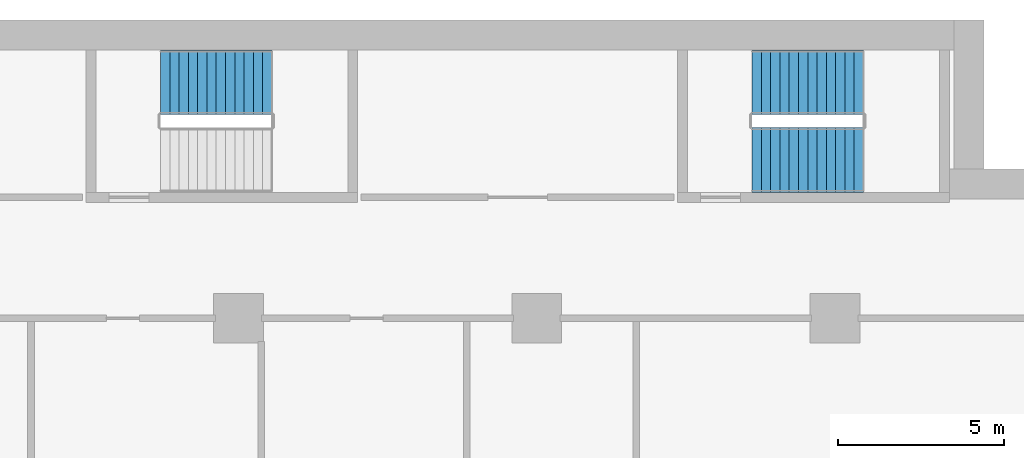
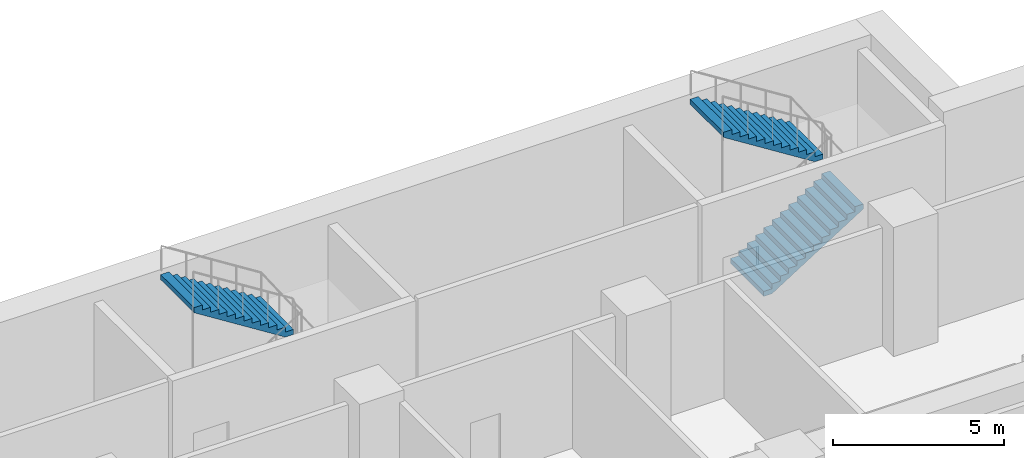
# One storey, part 23 of 31: 3 stair flights, 2 elements without a shape of their own.
"""IFC4 building model written with IfcOpenShell, lengths in metres."""

from ifc_helpers import new_model, si_unit, direction, frame, origin, place, context, subcontext, project, spatial, polyline, outline, extrude, material, type_object, element, aggregate, save


model = new_model("IFC4")

# Units and contexts
model_context = context("Model", 3, precision=1e-05, world=origin(), true_north=direction((0.0, 1.0)))
body_context = subcontext(model_context, "Body", "Model", "MODEL_VIEW")
ifc_project = project(units=[si_unit("LENGTHUNIT", "METRE"), si_unit("AREAUNIT", "SQUARE_METRE"), si_unit("VOLUMEUNIT", "CUBIC_METRE"), si_unit("PLANEANGLEUNIT", "RADIAN"), si_unit("MASSUNIT", "GRAM", prefix="KILO")], contexts=[model_context])

# Site, building, storey
site_placement = place(None, origin())
site = spatial("IfcSite", under=ifc_project, at=site_placement, CompositionType="ELEMENT")
building_placement = place(site_placement, origin())
building = spatial("IfcBuilding", under=site, at=building_placement, Name="Hunhe Ridgeline Campus", CompositionType="ELEMENT")
storey_placement = place(building_placement, frame((0.0, 0.0, 31.199951171875)))
storey = spatial("IfcBuildingStorey", under=building, at=storey_placement, Name="L06", CompositionType="ELEMENT", Elevation=31.199951171875)

# Stair, stair flight
ifc_material = material(Name="Concrete C40", Category="concrete")
stair_type = type_object("IfcStairType", Name="Reinforced concrete dog-leg stair 1950 Concrete C40", PredefinedType="HALF_TURN_STAIR", material=ifc_material)
stair_1_placement = place(storey_placement, origin())
stair_1 = element("IfcStair", 1, at=stair_1_placement, inside=storey, type_object=stair_type, Name="L06 E3", PredefinedType="HALF_TURN_STAIR")
stair_flight_type = type_object("IfcStairFlightType", Name="Reinforced concrete stair flight 1950 Concrete C40", PredefinedType="STRAIGHT", material=ifc_material)
stair_flight_1_placement = place(storey_placement, frame((73.010009765625, 97.125, 2.300048828125), z_axis=(0.0, 0.0, 1.0), x_axis=(-1.0, 0.0, 0.0)))
stair_flight_1 = element("IfcStairFlight", 2, at=stair_flight_1_placement, type_object=stair_flight_type, Name="ST7 flight 2", NumberOfRisers=13, NumberOfTreads=12, PredefinedType="STRAIGHT", RiserHeight=0.176923077, TreadLength=0.28, context=body_context, shape_type="SweptSolid", body=[
    extrude(outline(polyline([(0.0, 0.0), (0.0, 0.177001953125), (0.280029296875, 0.177001953125), (0.280029296875, 0.353759765625), (0.56005859375, 0.353759765625), (0.56005859375, 0.53076171875), (0.840087890625, 0.53076171875), (0.840087890625, 0.707763671875), (1.1201171875, 0.707763671875), (1.1201171875, 0.884521484375), (1.39990234375, 0.884521484375), (1.39990234375, 1.0615234375), (1.679931640625, 1.0615234375), (1.679931640625, 1.238525390625), (1.9599609375, 1.238525390625), (1.9599609375, 1.415283203125), (2.239990234375, 1.415283203125), (2.239990234375, 1.59228515625), (2.52001953125, 1.59228515625), (2.52001953125, 1.769287109375), (2.800048828125, 1.769287109375), (2.800048828125, 1.946044921875), (3.080078125, 1.946044921875), (3.080078125, 2.123046875), (3.360107421875, 2.123046875), (3.360107421875, 2.300048828125), (3.360107421875, 1.94580078125), (0.280517578125, 0.0), (0.0, 0.0)])), frame((0.0, 0.97509765625, 0.0), z_axis=(0.0, -1.0, 0.0), x_axis=(1.0, 0.0, 0.0)), (0.0, 0.0, 1.0), 1.949951171875),
    extrude(outline(polyline([(0.030029296875, 0.030029296875), (0.030029296875, 0.14697265625), (0.31005859375, 0.14697265625), (0.31005859375, 0.32373046875), (0.590087890625, 0.32373046875), (0.590087890625, 0.500732421875), (0.8701171875, 0.500732421875), (0.8701171875, 0.677734375), (1.14990234375, 0.677734375), (1.14990234375, 0.8544921875), (1.429931640625, 0.8544921875), (1.429931640625, 1.031494140625), (1.7099609375, 1.031494140625), (1.7099609375, 1.20849609375), (1.989990234375, 1.20849609375), (1.989990234375, 1.385498046875), (2.27001953125, 1.385498046875), (2.27001953125, 1.562255859375), (2.550048828125, 1.562255859375), (2.550048828125, 1.7392578125), (2.830078125, 1.7392578125), (2.830078125, 1.916259765625), (3.110107421875, 1.916259765625), (3.110107421875, 2.093017578125), (3.330078125, 2.093017578125), (3.330078125, 1.96240234375), (0.27197265625, 0.030029296875), (0.030029296875, 0.030029296875)])), frame((0.0, -0.070068359375, 0.0), z_axis=(0.0, -1.0, 0.0), x_axis=(1.0, 0.0, 0.0)), (0.0, 0.0, 1.0), 0.019775390625),
    extrude(outline(polyline([(0.030029296875, 0.030029296875), (0.030029296875, 0.14697265625), (0.31005859375, 0.14697265625), (0.31005859375, 0.32373046875), (0.590087890625, 0.32373046875), (0.590087890625, 0.500732421875), (0.8701171875, 0.500732421875), (0.8701171875, 0.677734375), (1.14990234375, 0.677734375), (1.14990234375, 0.8544921875), (1.429931640625, 0.8544921875), (1.429931640625, 1.031494140625), (1.7099609375, 1.031494140625), (1.7099609375, 1.20849609375), (1.989990234375, 1.20849609375), (1.989990234375, 1.385498046875), (2.27001953125, 1.385498046875), (2.27001953125, 1.562255859375), (2.550048828125, 1.562255859375), (2.550048828125, 1.7392578125), (2.830078125, 1.7392578125), (2.830078125, 1.916259765625), (3.110107421875, 1.916259765625), (3.110107421875, 2.093017578125), (3.330078125, 2.093017578125), (3.330078125, 1.96240234375), (0.27197265625, 0.030029296875), (0.030029296875, 0.030029296875)])), frame((0.0, 0.010009765625, 0.0), z_axis=(0.0, -1.0, 0.0), x_axis=(1.0, 0.0, 0.0)), (0.0, 0.0, 1.0), 0.019775390625),
    extrude(outline(polyline([(0.030029296875, 0.030029296875), (0.030029296875, 0.14697265625), (0.31005859375, 0.14697265625), (0.31005859375, 0.32373046875), (0.590087890625, 0.32373046875), (0.590087890625, 0.500732421875), (0.8701171875, 0.500732421875), (0.8701171875, 0.677734375), (1.14990234375, 0.677734375), (1.14990234375, 0.8544921875), (1.429931640625, 0.8544921875), (1.429931640625, 1.031494140625), (1.7099609375, 1.031494140625), (1.7099609375, 1.20849609375), (1.989990234375, 1.20849609375), (1.989990234375, 1.385498046875), (2.27001953125, 1.385498046875), (2.27001953125, 1.562255859375), (2.550048828125, 1.562255859375), (2.550048828125, 1.7392578125), (2.830078125, 1.7392578125), (2.830078125, 1.916259765625), (3.110107421875, 1.916259765625), (3.110107421875, 2.093017578125), (3.330078125, 2.093017578125), (3.330078125, 1.96240234375), (0.27197265625, 0.030029296875), (0.030029296875, 0.030029296875)])), frame((0.0, 0.090087890625, 0.0), z_axis=(0.0, -1.0, 0.0), x_axis=(1.0, 0.0, 0.0)), (0.0, 0.0, 1.0), 0.019775390625),
])
aggregate(stair_1, [stair_flight_1])

# Stair, stair flights
stair_2_placement = place(storey_placement, origin())
stair_2 = element("IfcStair", 3, at=stair_2_placement, inside=storey, type_object=stair_type, Name="L06 E4", PredefinedType="HALF_TURN_STAIR")
stair_flight_2_placement = place(storey_placement, frame((87.5, 94.77490234375, 0.0), z_axis=(0.0, 0.0, 1.0), x_axis=(1.0, 0.0, 0.0)))
stair_flight_2 = element("IfcStairFlight", 4, at=stair_flight_2_placement, type_object=stair_flight_type, Name="ST8 flight 1", NumberOfRisers=13, NumberOfTreads=12, PredefinedType="STRAIGHT", RiserHeight=0.176923077, TreadLength=0.28, context=body_context, shape_type="SweptSolid", body=[
    extrude(outline(polyline([(0.0, 0.0), (0.0, 0.177001953125), (0.280029296875, 0.177001953125), (0.280029296875, 0.353759765625), (0.56005859375, 0.353759765625), (0.56005859375, 0.53076171875), (0.840087890625, 0.53076171875), (0.840087890625, 0.707763671875), (1.1201171875, 0.707763671875), (1.1201171875, 0.884521484375), (1.39990234375, 0.884521484375), (1.39990234375, 1.0615234375), (1.679931640625, 1.0615234375), (1.679931640625, 1.238525390625), (1.9599609375, 1.238525390625), (1.9599609375, 1.415283203125), (2.239990234375, 1.415283203125), (2.239990234375, 1.59228515625), (2.52001953125, 1.59228515625), (2.52001953125, 1.769287109375), (2.800048828125, 1.769287109375), (2.800048828125, 1.946044921875), (3.080078125, 1.946044921875), (3.080078125, 2.123046875), (3.360107421875, 2.123046875), (3.360107421875, 2.300048828125), (3.360107421875, 1.94580078125), (0.280517578125, 0.0), (0.0, 0.0)])), frame((0.0, 0.97509765625, 0.0), z_axis=(0.0, -1.0, 0.0), x_axis=(1.0, 0.0, 0.0)), (0.0, 0.0, 1.0), 1.949951171875),
    extrude(outline(polyline([(0.030029296875, 0.030029296875), (0.030029296875, 0.14697265625), (0.31005859375, 0.14697265625), (0.31005859375, 0.32373046875), (0.590087890625, 0.32373046875), (0.590087890625, 0.500732421875), (0.8701171875, 0.500732421875), (0.8701171875, 0.677734375), (1.14990234375, 0.677734375), (1.14990234375, 0.8544921875), (1.429931640625, 0.8544921875), (1.429931640625, 1.031494140625), (1.7099609375, 1.031494140625), (1.7099609375, 1.20849609375), (1.989990234375, 1.20849609375), (1.989990234375, 1.385498046875), (2.27001953125, 1.385498046875), (2.27001953125, 1.562255859375), (2.550048828125, 1.562255859375), (2.550048828125, 1.7392578125), (2.830078125, 1.7392578125), (2.830078125, 1.916259765625), (3.110107421875, 1.916259765625), (3.110107421875, 2.093017578125), (3.330078125, 2.093017578125), (3.330078125, 1.96240234375), (0.27197265625, 0.030029296875), (0.030029296875, 0.030029296875)])), frame((0.0, -0.070068359375, 0.0), z_axis=(0.0, -1.0, 0.0), x_axis=(1.0, 0.0, 0.0)), (0.0, 0.0, 1.0), 0.019775390625),
    extrude(outline(polyline([(0.030029296875, 0.030029296875), (0.030029296875, 0.14697265625), (0.31005859375, 0.14697265625), (0.31005859375, 0.32373046875), (0.590087890625, 0.32373046875), (0.590087890625, 0.500732421875), (0.8701171875, 0.500732421875), (0.8701171875, 0.677734375), (1.14990234375, 0.677734375), (1.14990234375, 0.8544921875), (1.429931640625, 0.8544921875), (1.429931640625, 1.031494140625), (1.7099609375, 1.031494140625), (1.7099609375, 1.20849609375), (1.989990234375, 1.20849609375), (1.989990234375, 1.385498046875), (2.27001953125, 1.385498046875), (2.27001953125, 1.562255859375), (2.550048828125, 1.562255859375), (2.550048828125, 1.7392578125), (2.830078125, 1.7392578125), (2.830078125, 1.916259765625), (3.110107421875, 1.916259765625), (3.110107421875, 2.093017578125), (3.330078125, 2.093017578125), (3.330078125, 1.96240234375), (0.27197265625, 0.030029296875), (0.030029296875, 0.030029296875)])), frame((0.0, 0.010009765625, 0.0), z_axis=(0.0, -1.0, 0.0), x_axis=(1.0, 0.0, 0.0)), (0.0, 0.0, 1.0), 0.019775390625),
    extrude(outline(polyline([(0.030029296875, 0.030029296875), (0.030029296875, 0.14697265625), (0.31005859375, 0.14697265625), (0.31005859375, 0.32373046875), (0.590087890625, 0.32373046875), (0.590087890625, 0.500732421875), (0.8701171875, 0.500732421875), (0.8701171875, 0.677734375), (1.14990234375, 0.677734375), (1.14990234375, 0.8544921875), (1.429931640625, 0.8544921875), (1.429931640625, 1.031494140625), (1.7099609375, 1.031494140625), (1.7099609375, 1.20849609375), (1.989990234375, 1.20849609375), (1.989990234375, 1.385498046875), (2.27001953125, 1.385498046875), (2.27001953125, 1.562255859375), (2.550048828125, 1.562255859375), (2.550048828125, 1.7392578125), (2.830078125, 1.7392578125), (2.830078125, 1.916259765625), (3.110107421875, 1.916259765625), (3.110107421875, 2.093017578125), (3.330078125, 2.093017578125), (3.330078125, 1.96240234375), (0.27197265625, 0.030029296875), (0.030029296875, 0.030029296875)])), frame((0.0, 0.090087890625, 0.0), z_axis=(0.0, -1.0, 0.0), x_axis=(1.0, 0.0, 0.0)), (0.0, 0.0, 1.0), 0.019775390625),
])
stair_flight_3_placement = place(storey_placement, frame((90.860107421875, 97.125, 2.300048828125), z_axis=(0.0, 0.0, 1.0), x_axis=(-1.0, 0.0, 0.0)))
stair_flight_3 = element("IfcStairFlight", 5, at=stair_flight_3_placement, type_object=stair_flight_type, Name="ST8 flight 2", NumberOfRisers=13, NumberOfTreads=12, PredefinedType="STRAIGHT", RiserHeight=0.176923077, TreadLength=0.28, context=body_context, shape_type="SweptSolid", body=[
    extrude(outline(polyline([(0.0, 0.0), (0.0, 0.177001953125), (0.280029296875, 0.177001953125), (0.280029296875, 0.353759765625), (0.56005859375, 0.353759765625), (0.56005859375, 0.53076171875), (0.840087890625, 0.53076171875), (0.840087890625, 0.707763671875), (1.1201171875, 0.707763671875), (1.1201171875, 0.884521484375), (1.39990234375, 0.884521484375), (1.39990234375, 1.0615234375), (1.679931640625, 1.0615234375), (1.679931640625, 1.238525390625), (1.9599609375, 1.238525390625), (1.9599609375, 1.415283203125), (2.239990234375, 1.415283203125), (2.239990234375, 1.59228515625), (2.52001953125, 1.59228515625), (2.52001953125, 1.769287109375), (2.800048828125, 1.769287109375), (2.800048828125, 1.946044921875), (3.080078125, 1.946044921875), (3.080078125, 2.123046875), (3.360107421875, 2.123046875), (3.360107421875, 2.300048828125), (3.360107421875, 1.94580078125), (0.280517578125, 0.0), (0.0, 0.0)])), frame((0.0, 0.97509765625, 0.0), z_axis=(0.0, -1.0, 0.0), x_axis=(1.0, 0.0, 0.0)), (0.0, 0.0, 1.0), 1.949951171875),
    extrude(outline(polyline([(0.030029296875, 0.030029296875), (0.030029296875, 0.14697265625), (0.31005859375, 0.14697265625), (0.31005859375, 0.32373046875), (0.590087890625, 0.32373046875), (0.590087890625, 0.500732421875), (0.8701171875, 0.500732421875), (0.8701171875, 0.677734375), (1.14990234375, 0.677734375), (1.14990234375, 0.8544921875), (1.429931640625, 0.8544921875), (1.429931640625, 1.031494140625), (1.7099609375, 1.031494140625), (1.7099609375, 1.20849609375), (1.989990234375, 1.20849609375), (1.989990234375, 1.385498046875), (2.27001953125, 1.385498046875), (2.27001953125, 1.562255859375), (2.550048828125, 1.562255859375), (2.550048828125, 1.7392578125), (2.830078125, 1.7392578125), (2.830078125, 1.916259765625), (3.110107421875, 1.916259765625), (3.110107421875, 2.093017578125), (3.330078125, 2.093017578125), (3.330078125, 1.96240234375), (0.27197265625, 0.030029296875), (0.030029296875, 0.030029296875)])), frame((0.0, -0.070068359375, 0.0), z_axis=(0.0, -1.0, 0.0), x_axis=(1.0, 0.0, 0.0)), (0.0, 0.0, 1.0), 0.019775390625),
    extrude(outline(polyline([(0.030029296875, 0.030029296875), (0.030029296875, 0.14697265625), (0.31005859375, 0.14697265625), (0.31005859375, 0.32373046875), (0.590087890625, 0.32373046875), (0.590087890625, 0.500732421875), (0.8701171875, 0.500732421875), (0.8701171875, 0.677734375), (1.14990234375, 0.677734375), (1.14990234375, 0.8544921875), (1.429931640625, 0.8544921875), (1.429931640625, 1.031494140625), (1.7099609375, 1.031494140625), (1.7099609375, 1.20849609375), (1.989990234375, 1.20849609375), (1.989990234375, 1.385498046875), (2.27001953125, 1.385498046875), (2.27001953125, 1.562255859375), (2.550048828125, 1.562255859375), (2.550048828125, 1.7392578125), (2.830078125, 1.7392578125), (2.830078125, 1.916259765625), (3.110107421875, 1.916259765625), (3.110107421875, 2.093017578125), (3.330078125, 2.093017578125), (3.330078125, 1.96240234375), (0.27197265625, 0.030029296875), (0.030029296875, 0.030029296875)])), frame((0.0, 0.010009765625, 0.0), z_axis=(0.0, -1.0, 0.0), x_axis=(1.0, 0.0, 0.0)), (0.0, 0.0, 1.0), 0.019775390625),
    extrude(outline(polyline([(0.030029296875, 0.030029296875), (0.030029296875, 0.14697265625), (0.31005859375, 0.14697265625), (0.31005859375, 0.32373046875), (0.590087890625, 0.32373046875), (0.590087890625, 0.500732421875), (0.8701171875, 0.500732421875), (0.8701171875, 0.677734375), (1.14990234375, 0.677734375), (1.14990234375, 0.8544921875), (1.429931640625, 0.8544921875), (1.429931640625, 1.031494140625), (1.7099609375, 1.031494140625), (1.7099609375, 1.20849609375), (1.989990234375, 1.20849609375), (1.989990234375, 1.385498046875), (2.27001953125, 1.385498046875), (2.27001953125, 1.562255859375), (2.550048828125, 1.562255859375), (2.550048828125, 1.7392578125), (2.830078125, 1.7392578125), (2.830078125, 1.916259765625), (3.110107421875, 1.916259765625), (3.110107421875, 2.093017578125), (3.330078125, 2.093017578125), (3.330078125, 1.96240234375), (0.27197265625, 0.030029296875), (0.030029296875, 0.030029296875)])), frame((0.0, 0.090087890625, 0.0), z_axis=(0.0, -1.0, 0.0), x_axis=(1.0, 0.0, 0.0)), (0.0, 0.0, 1.0), 0.019775390625),
])
aggregate(stair_2, [stair_flight_2, stair_flight_3])

save(model, "model.ifc")
